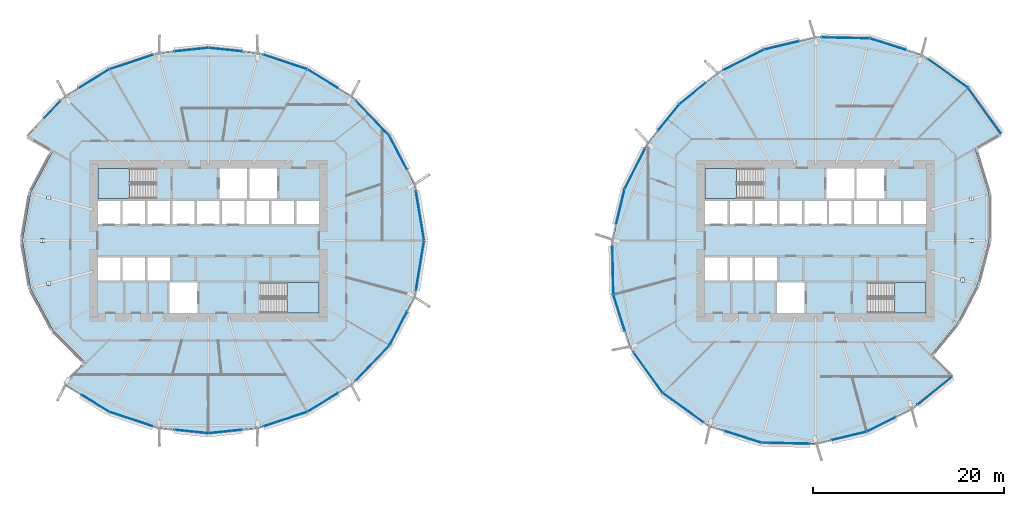
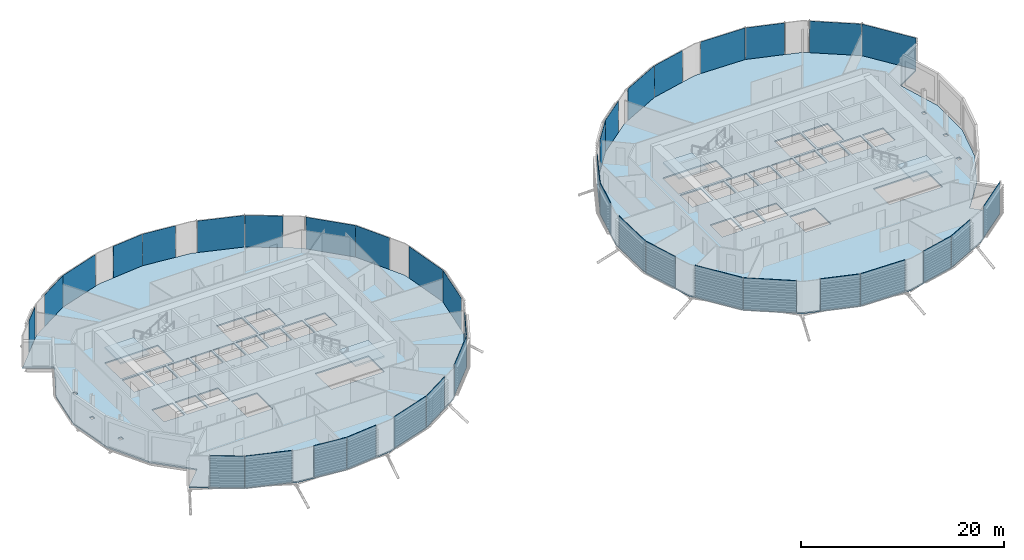
# One storey, part 19 of 37: 38 plates, 6 slabs, 6 elements without a shape of their own.
"""IFC4 building model written with IfcOpenShell, lengths in metres."""

import ifcopenshell
import ifcopenshell.guid

model = None  # the IFC model being written
_history = None  # IfcOwnerHistory: only IFC2X3 demands one
_inside = {}  # id of a spatial element -> (the spatial element, [elements in it])
_under = {}  # id of a project, library or spatial element -> (it, [spatial elements below it])
_declared = {}  # id of a project -> (the project, [libraries it declares])
_typed = {}  # id of a type object -> (the type object, [elements of that type])
_made_of = {}  # id of a material, layer set ... -> (it, [elements and type objects made of it])


def new_model(schema):
    """Start an empty IFC model of exactly this schema.

    Asked for "IFC4X3", IfcOpenShell would pick the latest addendum, in which some entities
    have other attributes; the version numbers below select the first issue.
    IFC2X3 requires an IfcOwnerHistory on every rooted entity: one is made here for all.
    """
    global model, _history
    if schema == "IFC4X3":
        model = ifcopenshell.file(schema_version=(4, 3, 0, 0))
    else:
        model = ifcopenshell.file(schema=schema)
    _inside.clear()
    _under.clear()
    _declared.clear()
    _typed.clear()
    _made_of.clear()
    _history = None
    if model.schema == "IFC2X3":
        org = make("IfcOrganization", Name="unknown")
        user = make(
            "IfcPersonAndOrganization",
            ThePerson=make("IfcPerson", FamilyName="unknown"),
            TheOrganization=org,
        )
        app = make(
            "IfcApplication",
            ApplicationDeveloper=org,
            Version="unknown",
            ApplicationFullName="unknown",
            ApplicationIdentifier="unknown",
        )
        _history = make(
            "IfcOwnerHistory",
            OwningUser=user,
            OwningApplication=app,
            ChangeAction="ADDED",
            CreationDate=0,
        )
    return model


def make(cls, **values):
    """One entity of the class cls with the attributes given. An attribute that is None is left unset."""
    return model.create_entity(
        cls, **{name: value for name, value in values.items() if value is not None}
    )


def rooted(cls, **values):
    """An entity with a GlobalId (a new one), such as an element, a storey or a relation."""
    return make(cls, GlobalId=ifcopenshell.guid.new(), OwnerHistory=_history, **values)


def si_unit(unit_type, name, prefix=None):
    """IfcSIUnit, for example si_unit("LENGTHUNIT", "METRE", prefix="MILLI")."""
    return make("IfcSIUnit", UnitType=unit_type, Prefix=prefix, Name=name)


def assignment(units):
    """IfcUnitAssignment: the units of a project."""
    return None if units is None else make("IfcUnitAssignment", Units=units)


def point(xyz):
    """IfcCartesianPoint."""
    return None if xyz is None else make("IfcCartesianPoint", Coordinates=xyz)


def direction(xyz):
    """IfcDirection."""
    return None if xyz is None else make("IfcDirection", DirectionRatios=xyz)


def frame(location, z_axis=None, x_axis=None):
    """IfcAxis2Placement3D, a coordinate frame: its origin and axes. An axis left out is left unset."""
    return make(
        "IfcAxis2Placement3D",
        Location=point(location),
        Axis=direction(z_axis),
        RefDirection=direction(x_axis),
    )


def frame_2d(location, x_axis=None):
    """IfcAxis2Placement2D, a coordinate frame in the plane: its origin and x axis."""
    return make(
        "IfcAxis2Placement2D", Location=point(location), RefDirection=direction(x_axis)
    )


def origin():
    """The frame at (0, 0, 0) with its axes left unset."""
    return frame((0.0, 0.0, 0.0))


def origin_2d():
    """The frame at (0, 0) in the plane with its x axis left unset."""
    return frame_2d((0.0, 0.0))


def place(relative_to, where):
    """IfcLocalPlacement: puts the frame where relative to a parent placement (None: the world)."""
    return make(
        "IfcLocalPlacement", PlacementRelTo=relative_to, RelativePlacement=where
    )


def context(
    kind, dimensions, precision=None, world=None, true_north=None, identifier=None
):
    """IfcGeometricRepresentationContext, for example the 3D "Model" context."""
    return make(
        "IfcGeometricRepresentationContext",
        ContextIdentifier=identifier,
        ContextType=kind,
        CoordinateSpaceDimension=dimensions,
        Precision=precision,
        WorldCoordinateSystem=world,
        TrueNorth=true_north,
    )


def subcontext(parent, identifier, kind, view, scale=None):
    """IfcGeometricRepresentationSubContext, for example "Body" below "Model"."""
    return make(
        "IfcGeometricRepresentationSubContext",
        ContextIdentifier=identifier,
        ContextType=kind,
        ParentContext=parent,
        TargetScale=scale,
        TargetView=view,
    )


def project(units=None, contexts=None):
    """IfcProject with its units and contexts."""
    return rooted(
        "IfcProject",
        Name="project",
        RepresentationContexts=contexts,
        UnitsInContext=assignment(units),
    )


def spatial(cls, under=None, at=None, **own):
    """A site, building, storey or space (cls), placed at a placement, below another one or the project."""
    s = rooted(cls, ObjectPlacement=at, **own)
    if under is not None:
        _under.setdefault(under.id(), (under, []))[1].append(s)
    return s


def polyline(points):
    """IfcPolyline through the points."""
    return make("IfcPolyline", Points=[point(p) for p in points])


def profile(cls, at=None, kind="AREA", **sizes):
    """A parametric profile (cls). Its sizes go by their IFC names, for example OverallWidth=200.0."""
    return make(cls, ProfileType=kind, Position=at, **sizes)


def rectangle(**sizes):
    """IfcRectangleProfileDef."""
    return profile("IfcRectangleProfileDef", **sizes)


def outline(outer, holes=None, kind="AREA"):
    """IfcArbitraryClosedProfileDef: a profile drawn as a closed curve; with holes, ...WithVoids."""
    if holes is None:
        return make("IfcArbitraryClosedProfileDef", ProfileType=kind, OuterCurve=outer)
    return make(
        "IfcArbitraryProfileDefWithVoids",
        ProfileType=kind,
        OuterCurve=outer,
        InnerCurves=holes,
    )


def extrude(swept, where, along, depth):
    """IfcExtrudedAreaSolid: the profile swept, set in the frame where, extruded along a direction by depth."""
    return make(
        "IfcExtrudedAreaSolid",
        SweptArea=swept,
        Position=where,
        ExtrudedDirection=direction(along),
        Depth=depth,
    )


def shape(context_of_items, identifier, shape_type, items):
    """IfcShapeRepresentation: the items that make up one representation, for example the "Body"."""
    return make(
        "IfcShapeRepresentation",
        ContextOfItems=context_of_items,
        RepresentationIdentifier=identifier,
        RepresentationType=shape_type,
        Items=items,
    )


def material(Name=None, Category=None):
    """IfcMaterial."""
    return make("IfcMaterial", Name=Name, Category=Category)


def layer(
    of_material, thickness, ventilated=None, Name=None, Category=None, Priority=None
):
    """IfcMaterialLayer: one layer of a wall or slab, of a material (None: an air gap)."""
    return make(
        "IfcMaterialLayer",
        Material=of_material,
        LayerThickness=thickness,
        IsVentilated=ventilated,
        Name=Name,
        Category=Category,
        Priority=Priority,
    )


def layer_set(layers, Name=None):
    """IfcMaterialLayerSet."""
    return make("IfcMaterialLayerSet", MaterialLayers=layers, LayerSetName=Name)


def made_of(thing, what):
    """Note that an element or type object is made of a material, layer set ...; save() writes the relation."""
    if what is not None:
        _made_of.setdefault(what.id(), (what, []))[1].append(thing)
    return thing


def type_object(cls, material=None, **own):
    """A type object (cls), such as IfcWallType, which elements share."""
    return made_of(rooted(cls, **own), material)


def element(
    cls,
    number,
    at=None,
    inside=None,
    cuts=None,
    type_object=None,
    material=None,
    context=None,
    identifier="Body",
    shape_type=None,
    held_by="IfcProductDefinitionShape",
    body=None,
    shapes=None,
    **own,
):
    """One element of the class cls, such as IfcWall. Its Tag is "e" and its number.

    at: its placement. inside: the storey or other place that contains it. cuts: it is an
    opening in that element (IfcRelVoidsElement). A single representation is given by context,
    identifier, shape_type and body (its items); several are given by shapes. held_by: the class
    of the entity that holds the representations. save() writes the other relations.
    """
    e = rooted(cls, Tag="e%d" % number, ObjectPlacement=at, **own)
    if body is not None:
        shapes = [shape(context, identifier, shape_type, body)]
    if shapes is not None:
        e.Representation = make(held_by, Representations=shapes)
    if inside is not None:
        _inside.setdefault(inside.id(), (inside, []))[1].append(e)
    if cuts is not None:
        rooted(
            "IfcRelVoidsElement", RelatingBuildingElement=cuts, RelatedOpeningElement=e
        )
    if type_object is not None:
        _typed.setdefault(type_object.id(), (type_object, []))[1].append(e)
    return made_of(e, material)


def aggregate(whole, parts):
    """IfcRelAggregates: a whole, such as a stair, and the parts it consists of."""
    return rooted("IfcRelAggregates", RelatingObject=whole, RelatedObjects=parts)


def save(model, path):
    """Write the relations noted so far, then the file.

    IfcRelAggregates (storeys below a building ...), IfcRelContainedInSpatialStructure (elements
    in a storey), IfcRelDefinesByType, IfcRelAssociatesMaterial and IfcRelDeclares: one each for
    every whole, place, type object, material and project.
    """
    for whole, parts in _under.values():
        aggregate(whole, parts)
    for where, things in _inside.values():
        rooted(
            "IfcRelContainedInSpatialStructure",
            RelatedElements=things,
            RelatingStructure=where,
        )
    for kind, things in _typed.values():
        rooted("IfcRelDefinesByType", RelatedObjects=things, RelatingType=kind)
    for what, things in _made_of.values():
        rooted("IfcRelAssociatesMaterial", RelatedObjects=things, RelatingMaterial=what)
    for by, libraries in _declared.values():
        rooted("IfcRelDeclares", RelatingContext=by, RelatedDefinitions=libraries)
    model.write(path)


model = new_model("IFC4")

# Units and contexts
model_context = context("Model", 3, precision=1e-05, world=origin(), true_north=direction((0.0, 1.0)))
body_context = subcontext(model_context, "Body", "Model", "MODEL_VIEW")
ifc_project = project(units=[si_unit("LENGTHUNIT", "METRE"), si_unit("AREAUNIT", "SQUARE_METRE"), si_unit("VOLUMEUNIT", "CUBIC_METRE"), si_unit("PLANEANGLEUNIT", "RADIAN"), si_unit("MASSUNIT", "GRAM", prefix="KILO")], contexts=[model_context])

# Site, building, storey
site_placement = place(None, origin())
site = spatial("IfcSite", under=ifc_project, at=site_placement, CompositionType="ELEMENT")
building_placement = place(site_placement, origin())
building = spatial("IfcBuilding", under=site, at=building_placement, Name="Rimbun Link Towers", CompositionType="ELEMENT")
storey_placement = place(building_placement, frame((0.0, 0.0, 45.199951171875)))
storey = spatial("IfcBuildingStorey", under=building, at=storey_placement, Name="L10", CompositionType="ELEMENT", Elevation=45.199951171875)

# Slabs
ifc_material_1 = material(Name="Concrete C35/45", Category="concrete")
ifc_layer_1 = layer(ifc_material_1, 0.159912109375)
ifc_layer_set_1 = layer_set([ifc_layer_1], Name="COMPOSITE FLOOR 160")
slab_type_1 = type_object("IfcSlabType", Name="COMPOSITE FLOOR 160", PredefinedType="FLOOR", material=ifc_layer_set_1)
slab_1_placement = place(storey_placement, frame((0.0, 0.0, -0.159912109375)))
element("IfcSlab", 1, at=slab_1_placement, inside=storey, type_object=slab_type_1, Name="Floor slab T1 L10", PredefinedType="FLOOR", context=body_context, shape_type="SweptSolid", body=[
    extrude(outline(polyline([(-46.76318359375, 15.01318359375), (-42.07861328125, 17.8896484375), (-36.994873046875, 19.57421875), (-31.75, 20.126708984375), (-26.505126953125, 19.57421875), (-21.42138671875, 17.8896484375), (-16.73681640625, 15.01318359375), (-12.82080078125, 10.9287109375), (-10.159423828125, 5.78515625), (-9.208251953125, 0.0), (-10.159423828125, -5.78515625), (-12.82080078125, -10.9287109375), (-16.73681640625, -15.01318359375), (-21.42138671875, -17.8896484375), (-26.505126953125, -19.57421875), (-31.75, -20.126708984375), (-36.994873046875, -19.57421875), (-42.07861328125, -17.8896484375), (-46.76318359375, -15.01318359375), (-44.5712890625, -12.8212890625), (-47.994384765625, -9.378662109375), (-50.34619140625, -4.98291015625), (-51.19189453125, 0.0), (-50.34619140625, 4.98291015625), (-47.994384765625, 9.378662109375), (-50.67919921875, 10.9287109375), (-46.76318359375, 15.01318359375)]), holes=[polyline([(-48.23876953125, -4.66845703125), (-48.23876953125, -4.27490234375), (-48.6376953125, -4.27490234375), (-48.6376953125, -4.66845703125), (-48.23876953125, -4.66845703125)]), polyline([(-40.95556640625, -4.14990234375), (-40.95556640625, -1.75), (-43.300048828125, -1.75), (-43.300048828125, -4.14990234375), (-40.95556640625, -4.14990234375)]), polyline([(-38.361083984375, -4.14990234375), (-38.361083984375, -1.75), (-40.70556640625, -1.75), (-40.70556640625, -4.14990234375), (-38.361083984375, -4.14990234375)]), polyline([(-38.111083984375, -4.14990234375), (-35.7666015625, -4.14990234375), (-35.7666015625, -1.75), (-38.111083984375, -1.75), (-38.111083984375, -4.14990234375)]), polyline([(-49.288330078125, -0.19677734375), (-48.889404296875, -0.19677734375), (-48.889404296875, 0.19677734375), (-49.288330078125, 0.19677734375), (-49.288330078125, -0.19677734375)]), polyline([(-40.95556640625, 1.75), (-40.95556640625, 4.14990234375), (-43.300048828125, 4.14990234375), (-43.300048828125, 1.75), (-40.95556640625, 1.75)]), polyline([(-38.361083984375, 1.75), (-38.361083984375, 4.14990234375), (-40.70556640625, 4.14990234375), (-40.70556640625, 1.75), (-38.361083984375, 1.75)]), polyline([(-35.7666015625, 1.75), (-35.7666015625, 4.14990234375), (-38.111083984375, 4.14990234375), (-38.111083984375, 1.75), (-35.7666015625, 1.75)]), polyline([(-48.6376953125, 4.27490234375), (-48.23876953125, 4.27490234375), (-48.23876953125, 4.66845703125), (-48.6376953125, 4.66845703125), (-48.6376953125, 4.27490234375)]), polyline([(-43.300048828125, 4.39990234375), (-37.260009765625, 4.39990234375), (-37.260009765625, 7.550048828125), (-43.300048828125, 7.550048828125), (-43.300048828125, 4.39990234375)]), polyline([(-32.89990234375, -7.550048828125), (-32.89990234375, -4.39990234375), (-35.800048828125, -4.39990234375), (-35.800048828125, -7.550048828125), (-32.89990234375, -7.550048828125)]), polyline([(-20.199951171875, -7.550048828125), (-20.199951171875, -4.39990234375), (-26.239990234375, -4.39990234375), (-26.239990234375, -7.550048828125), (-20.199951171875, -7.550048828125)]), polyline([(-33.172119140625, 1.75), (-33.172119140625, 4.14990234375), (-35.5166015625, 4.14990234375), (-35.5166015625, 1.75), (-33.172119140625, 1.75)]), polyline([(-32.922119140625, 1.75), (-30.577880859375, 1.75), (-30.577880859375, 4.14990234375), (-32.922119140625, 4.14990234375), (-32.922119140625, 1.75)]), polyline([(-30.327880859375, 1.75), (-27.9833984375, 1.75), (-27.9833984375, 4.14990234375), (-30.327880859375, 4.14990234375), (-30.327880859375, 1.75)]), polyline([(-25.388916015625, 1.75), (-25.388916015625, 4.14990234375), (-27.7333984375, 4.14990234375), (-27.7333984375, 1.75), (-25.388916015625, 1.75)]), polyline([(-22.79443359375, 1.75), (-22.79443359375, 4.14990234375), (-25.138916015625, 4.14990234375), (-25.138916015625, 1.75), (-22.79443359375, 1.75)]), polyline([(-20.199951171875, 1.75), (-20.199951171875, 4.14990234375), (-22.54443359375, 4.14990234375), (-22.54443359375, 1.75), (-20.199951171875, 1.75)]), polyline([(-30.60009765625, 4.39990234375), (-27.699951171875, 4.39990234375), (-27.699951171875, 7.550048828125), (-30.60009765625, 7.550048828125), (-30.60009765625, 4.39990234375)]), polyline([(-27.449951171875, 4.39990234375), (-24.550048828125, 4.39990234375), (-24.550048828125, 7.550048828125), (-27.449951171875, 7.550048828125), (-27.449951171875, 4.39990234375)])]), origin(), (0.0, 0.0, 1.0), 0.159912109375),
])
slab_2_placement = place(storey_placement, frame((0.0, 0.0, -0.159912109375)))
element("IfcSlab", 2, at=slab_2_placement, inside=storey, type_object=slab_type_1, Name="Floor slab T2 L10", PredefinedType="FLOOR", context=body_context, shape_type="SweptSolid", body=[
    extrude(outline(polyline([(41.88232421875, -17.5498046875), (37.096435546875, -19.953125), (31.75, -21.23193359375), (26.093017578125, -21.11279296875), (20.573974609375, -19.357421875), (15.810546875, -15.939453125), (12.392578125, -11.176025390625), (10.63720703125, -5.656982421875), (10.51806640625, 0.0), (11.796875, 5.346435546875), (14.2001953125, 10.13232421875), (17.518310546875, 14.231689453125), (21.61767578125, 17.5498046875), (26.403564453125, 19.953125), (31.75, 21.23193359375), (37.406982421875, 21.11279296875), (42.926025390625, 19.357421875), (47.689453125, 15.939453125), (51.107421875, 11.176025390625), (48.4228515625, 9.626220703125), (49.868408203125, 4.854736328125), (49.8818359375, 0.0), (48.708740234375, -4.544189453125), (46.614990234375, -8.58251953125), (43.78955078125, -12.03955078125), (45.981689453125, -14.231689453125), (41.88232421875, -17.5498046875)]), holes=[polyline([(30.60009765625, -7.550048828125), (30.60009765625, -4.39990234375), (27.699951171875, -4.39990234375), (27.699951171875, -7.550048828125), (30.60009765625, -7.550048828125)]), polyline([(22.54443359375, -4.14990234375), (22.54443359375, -1.75), (20.199951171875, -1.75), (20.199951171875, -4.14990234375), (22.54443359375, -4.14990234375)]), polyline([(25.138916015625, -4.14990234375), (25.138916015625, -1.75), (22.79443359375, -1.75), (22.79443359375, -4.14990234375), (25.138916015625, -4.14990234375)]), polyline([(25.388916015625, -4.14990234375), (27.7333984375, -4.14990234375), (27.7333984375, -1.75), (25.388916015625, -1.75), (25.388916015625, -4.14990234375)]), polyline([(20.199951171875, 1.75), (22.54443359375, 1.75), (22.54443359375, 4.14990234375), (20.199951171875, 4.14990234375), (20.199951171875, 1.75)]), polyline([(25.138916015625, 1.75), (25.138916015625, 4.14990234375), (22.79443359375, 4.14990234375), (22.79443359375, 1.75), (25.138916015625, 1.75)]), polyline([(27.7333984375, 1.75), (27.7333984375, 4.14990234375), (25.388916015625, 4.14990234375), (25.388916015625, 1.75), (27.7333984375, 1.75)]), polyline([(30.327880859375, 1.75), (30.327880859375, 4.14990234375), (27.9833984375, 4.14990234375), (27.9833984375, 1.75), (30.327880859375, 1.75)]), polyline([(30.577880859375, 1.75), (32.922119140625, 1.75), (32.922119140625, 4.14990234375), (30.577880859375, 4.14990234375), (30.577880859375, 1.75)]), polyline([(20.199951171875, 4.39990234375), (26.239990234375, 4.39990234375), (26.239990234375, 7.550048828125), (20.199951171875, 7.550048828125), (20.199951171875, 4.39990234375)]), polyline([(43.300048828125, -7.550048828125), (43.300048828125, -4.39990234375), (37.260009765625, -4.39990234375), (37.260009765625, -7.550048828125), (43.300048828125, -7.550048828125)]), polyline([(47.328125, -4.3173828125), (47.328125, -3.923828125), (46.92919921875, -3.923828125), (46.92919921875, -4.3173828125), (47.328125, -4.3173828125)]), polyline([(48.236083984375, -0.19677734375), (48.236083984375, 0.19677734375), (47.837158203125, 0.19677734375), (47.837158203125, -0.19677734375), (48.236083984375, -0.19677734375)]), polyline([(33.172119140625, 1.75), (35.5166015625, 1.75), (35.5166015625, 4.14990234375), (33.172119140625, 4.14990234375), (33.172119140625, 1.75)]), polyline([(35.7666015625, 1.75), (38.111083984375, 1.75), (38.111083984375, 4.14990234375), (35.7666015625, 4.14990234375), (35.7666015625, 1.75)]), polyline([(40.70556640625, 1.75), (40.70556640625, 4.14990234375), (38.361083984375, 4.14990234375), (38.361083984375, 1.75), (40.70556640625, 1.75)]), polyline([(43.300048828125, 1.75), (43.300048828125, 4.14990234375), (40.95556640625, 4.14990234375), (40.95556640625, 1.75), (43.300048828125, 1.75)]), polyline([(48.253662109375, 4.171875), (48.253662109375, 4.5654296875), (47.854736328125, 4.5654296875), (47.854736328125, 4.171875), (48.253662109375, 4.171875)]), polyline([(32.89990234375, 4.39990234375), (35.800048828125, 4.39990234375), (35.800048828125, 7.550048828125), (32.89990234375, 7.550048828125), (32.89990234375, 4.39990234375)]), polyline([(36.050048828125, 4.39990234375), (38.949951171875, 4.39990234375), (38.949951171875, 7.550048828125), (36.050048828125, 7.550048828125), (36.050048828125, 4.39990234375)])]), origin(), (0.0, 0.0, 1.0), 0.159912109375),
])

# Curtain wall, plates
ifc_material_2 = material(Name="Aluminium 6063-T6 and low-iron glass", Category="aluminium")
curtain_wall_type = type_object("IfcCurtainWallType", Name="CW1 unitised vision wall", PredefinedType="NOTDEFINED", material=ifc_material_2)
curtain_wall_1_placement = place(storey_placement, origin())
curtain_wall_1 = element("IfcCurtainWall", 3, at=curtain_wall_1_placement, inside=storey, type_object=curtain_wall_type, Name="CW1 L10 T1", PredefinedType="NOTDEFINED")
ifc_material_3 = material(Name="Low-iron glass, laminated low-e unit", Category="glass")
ifc_layer_2 = layer(ifc_material_3, 0.028076171875)
ifc_layer_set_2 = layer_set([ifc_layer_2], Name="CW1 panel Low-iron glass 28")
plate_type = type_object("IfcPlateType", Name="CW1 panel Low-iron glass 28", PredefinedType="CURTAIN_PANEL", material=ifc_layer_set_2)
plate_1_placement = place(storey_placement, frame((-9.621337890625, 2.598876953125, 0.0), z_axis=(0.0, 0.0, 1.0), x_axis=(0.162257788061, -0.986748402691, 0.0)))
plate_1 = element("IfcPlate", 4, at=plate_1_placement, type_object=plate_type, Name="CW1 panel", PredefinedType="CURTAIN_PANEL", context=body_context, shape_type="SweptSolid", body=[
    extrude(rectangle(XDim=5.222900390625, YDim=0.028076171875, at=origin_2d()), origin(), (0.0, 0.0, 1.0), 3.800048828125),
])
plate_2_placement = place(storey_placement, frame((-11.891357421875, 9.16259765625, 0.0), z_axis=(0.0, 0.0, 1.0), x_axis=(0.459554913934, -0.888149357416, 0.0)))
plate_2 = element("IfcPlate", 5, at=plate_2_placement, type_object=plate_type, Name="CW1 panel", PredefinedType="CURTAIN_PANEL", context=body_context, shape_type="SweptSolid", body=[
    extrude(rectangle(XDim=3.951171875, YDim=0.028076171875, at=origin_2d()), origin(), (0.0, 0.0, 1.0), 3.800048828125),
])
plate_3_placement = place(storey_placement, frame((-14.578369140625, 12.7822265625, 0.0), z_axis=(0.0, 0.0, 1.0), x_axis=(0.692051593976, -0.721848038908, 0.0)))
plate_3 = element("IfcPlate", 6, at=plate_3_placement, type_object=plate_type, Name="CW1 panel", PredefinedType="CURTAIN_PANEL", context=body_context, shape_type="SweptSolid", body=[
    extrude(rectangle(XDim=5.068359375, YDim=0.028076171875, at=origin_2d()), origin(), (0.0, 0.0, 1.0), 3.800048828125),
])
plate_4_placement = place(storey_placement, frame((-19.796142578125, 16.908203125, 0.0), z_axis=(0.0, 0.0, 1.0), x_axis=(0.852185029135, -0.523240552823, 0.0)))
plate_4 = element("IfcPlate", 7, at=plate_4_placement, type_object=plate_type, Name="CW1 panel", PredefinedType="CURTAIN_PANEL", context=body_context, shape_type="SweptSolid", body=[
    extrude(rectangle(XDim=3.75732421875, YDim=0.028076171875, at=origin_2d()), origin(), (0.0, 0.0, 1.0), 3.800048828125),
])
plate_5_placement = place(storey_placement, frame((-23.69775390625, 18.65869140625, 0.0), z_axis=(0.0, 0.0, 1.0), x_axis=(0.949238271648, -0.314557949572, 0.0)))
plate_5 = element("IfcPlate", 8, at=plate_5_placement, type_object=plate_type, Name="CW1 panel", PredefinedType="CURTAIN_PANEL", context=body_context, shape_type="SweptSolid", body=[
    extrude(rectangle(XDim=4.765380859375, YDim=0.028076171875, at=origin_2d()), origin(), (0.0, 0.0, 1.0), 3.800048828125),
])
plate_6_placement = place(storey_placement, frame((-29.971435546875, 19.953369140625, 0.0), z_axis=(0.0, 0.0, 1.0), x_axis=(0.994499425228, -0.104742031783, 0.0)))
plate_6 = element("IfcPlate", 9, at=plate_6_placement, type_object=plate_type, Name="CW1 panel", PredefinedType="CURTAIN_PANEL", context=body_context, shape_type="SweptSolid", body=[
    extrude(rectangle(XDim=3.533935546875, YDim=0.028076171875, at=origin_2d()), origin(), (0.0, 0.0, 1.0), 3.800048828125),
])
plate_7_placement = place(storey_placement, frame((-33.528564453125, 19.953369140625, 0.0), z_axis=(0.0, 0.0, 1.0), x_axis=(0.994499425228, 0.104742031783, 0.0)))
plate_7 = element("IfcPlate", 10, at=plate_7_placement, type_object=plate_type, Name="CW1 panel", PredefinedType="CURTAIN_PANEL", context=body_context, shape_type="SweptSolid", body=[
    extrude(rectangle(XDim=3.533935546875, YDim=0.028076171875, at=origin_2d()), origin(), (0.0, 0.0, 1.0), 3.800048828125),
])
plate_8_placement = place(storey_placement, frame((-39.80224609375, 18.65869140625, 0.0), z_axis=(0.0, 0.0, 1.0), x_axis=(0.949238271648, 0.314557949572, 0.0)))
plate_8 = element("IfcPlate", 11, at=plate_8_placement, type_object=plate_type, Name="CW1 panel", PredefinedType="CURTAIN_PANEL", context=body_context, shape_type="SweptSolid", body=[
    extrude(rectangle(XDim=4.765380859375, YDim=0.028076171875, at=origin_2d()), origin(), (0.0, 0.0, 1.0), 3.800048828125),
])
plate_9_placement = place(storey_placement, frame((-43.703857421875, 16.908203125, 0.0), z_axis=(0.0, 0.0, 1.0), x_axis=(0.852185029135, 0.523240552823, 0.0)))
plate_9 = element("IfcPlate", 12, at=plate_9_placement, type_object=plate_type, Name="CW1 panel", PredefinedType="CURTAIN_PANEL", context=body_context, shape_type="SweptSolid", body=[
    extrude(rectangle(XDim=3.75732421875, YDim=0.028076171875, at=origin_2d()), origin(), (0.0, 0.0, 1.0), 3.800048828125),
])
plate_10_placement = place(storey_placement, frame((-48.039306640625, 13.702392578125, 0.0), z_axis=(0.0, 0.0, 1.0), x_axis=(0.692051593976, 0.721848038908, 0.0)))
plate_10 = element("IfcPlate", 13, at=plate_10_placement, type_object=plate_type, Name="CW1 panel", PredefinedType="CURTAIN_PANEL", context=body_context, shape_type="SweptSolid", body=[
    extrude(rectangle(XDim=2.518310546875, YDim=0.028076171875, at=origin_2d()), origin(), (0.0, 0.0, 1.0), 3.800048828125),
])
plate_11_placement = place(storey_placement, frame((-43.5546875, -16.999755859375, 0.0), z_axis=(0.0, 0.0, 1.0), x_axis=(-0.852185029135, 0.523240552823, 0.0)))
plate_11 = element("IfcPlate", 14, at=plate_11_placement, type_object=plate_type, Name="CW1 panel", PredefinedType="CURTAIN_PANEL", context=body_context, shape_type="SweptSolid", body=[
    extrude(rectangle(XDim=3.4072265625, YDim=0.028076171875, at=origin_2d()), origin(), (0.0, 0.0, 1.0), 3.800048828125),
])
plate_12_placement = place(storey_placement, frame((-39.80224609375, -18.65869140625, 0.0), z_axis=(0.0, 0.0, 1.0), x_axis=(-0.949238271648, 0.314557949572, 0.0)))
plate_12 = element("IfcPlate", 15, at=plate_12_placement, type_object=plate_type, Name="CW1 panel", PredefinedType="CURTAIN_PANEL", context=body_context, shape_type="SweptSolid", body=[
    extrude(rectangle(XDim=4.765380859375, YDim=0.028076171875, at=origin_2d()), origin(), (0.0, 0.0, 1.0), 3.800048828125),
])
plate_13_placement = place(storey_placement, frame((-33.528564453125, -19.953369140625, 0.0), z_axis=(0.0, 0.0, 1.0), x_axis=(-0.994499425228, 0.104742031783, 0.0)))
plate_13 = element("IfcPlate", 16, at=plate_13_placement, type_object=plate_type, Name="CW1 panel", PredefinedType="CURTAIN_PANEL", context=body_context, shape_type="SweptSolid", body=[
    extrude(rectangle(XDim=3.533935546875, YDim=0.028076171875, at=origin_2d()), origin(), (0.0, 0.0, 1.0), 3.800048828125),
])
plate_14_placement = place(storey_placement, frame((-29.971435546875, -19.953369140625, 0.0), z_axis=(0.0, 0.0, 1.0), x_axis=(-0.994499425228, -0.104742031783, 0.0)))
plate_14 = element("IfcPlate", 17, at=plate_14_placement, type_object=plate_type, Name="CW1 panel", PredefinedType="CURTAIN_PANEL", context=body_context, shape_type="SweptSolid", body=[
    extrude(rectangle(XDim=3.533935546875, YDim=0.028076171875, at=origin_2d()), origin(), (0.0, 0.0, 1.0), 3.800048828125),
])
plate_15_placement = place(storey_placement, frame((-23.69775390625, -18.65869140625, 0.0), z_axis=(0.0, 0.0, 1.0), x_axis=(-0.949238271648, -0.314557949572, 0.0)))
plate_15 = element("IfcPlate", 18, at=plate_15_placement, type_object=plate_type, Name="CW1 panel", PredefinedType="CURTAIN_PANEL", context=body_context, shape_type="SweptSolid", body=[
    extrude(rectangle(XDim=4.765380859375, YDim=0.028076171875, at=origin_2d()), origin(), (0.0, 0.0, 1.0), 3.800048828125),
])
plate_16_placement = place(storey_placement, frame((-19.796142578125, -16.908203125, 0.0), z_axis=(0.0, 0.0, 1.0), x_axis=(-0.852185029135, -0.523240552823, 0.0)))
plate_16 = element("IfcPlate", 19, at=plate_16_placement, type_object=plate_type, Name="CW1 panel", PredefinedType="CURTAIN_PANEL", context=body_context, shape_type="SweptSolid", body=[
    extrude(rectangle(XDim=3.75732421875, YDim=0.028076171875, at=origin_2d()), origin(), (0.0, 0.0, 1.0), 3.800048828125),
])
plate_17_placement = place(storey_placement, frame((-14.578369140625, -12.7822265625, 0.0), z_axis=(0.0, 0.0, 1.0), x_axis=(-0.692051593976, -0.721848038908, 0.0)))
plate_17 = element("IfcPlate", 20, at=plate_17_placement, type_object=plate_type, Name="CW1 panel", PredefinedType="CURTAIN_PANEL", context=body_context, shape_type="SweptSolid", body=[
    extrude(rectangle(XDim=5.068359375, YDim=0.028076171875, at=origin_2d()), origin(), (0.0, 0.0, 1.0), 3.800048828125),
])
plate_18_placement = place(storey_placement, frame((-11.891357421875, -9.16259765625, 0.0), z_axis=(0.0, 0.0, 1.0), x_axis=(-0.459554913934, -0.888149357416, 0.0)))
plate_18 = element("IfcPlate", 21, at=plate_18_placement, type_object=plate_type, Name="CW1 panel", PredefinedType="CURTAIN_PANEL", context=body_context, shape_type="SweptSolid", body=[
    extrude(rectangle(XDim=3.951171875, YDim=0.028076171875, at=origin_2d()), origin(), (0.0, 0.0, 1.0), 3.800048828125),
])
plate_19_placement = place(storey_placement, frame((-9.621337890625, -2.598876953125, 0.0), z_axis=(0.0, 0.0, 1.0), x_axis=(-0.162257788061, -0.986748402691, 0.0)))
plate_19 = element("IfcPlate", 22, at=plate_19_placement, type_object=plate_type, Name="CW1 panel", PredefinedType="CURTAIN_PANEL", context=body_context, shape_type="SweptSolid", body=[
    extrude(rectangle(XDim=5.222900390625, YDim=0.028076171875, at=origin_2d()), origin(), (0.0, 0.0, 1.0), 3.800048828125),
])
aggregate(curtain_wall_1, [plate_1, plate_2, plate_3, plate_4, plate_5, plate_6, plate_7, plate_8, plate_9, plate_10, plate_11, plate_12, plate_13, plate_14, plate_15, plate_16, plate_17, plate_18, plate_19])

curtain_wall_2_placement = place(storey_placement, origin())
curtain_wall_2 = element("IfcCurtainWall", 23, at=curtain_wall_2_placement, inside=storey, type_object=curtain_wall_type, Name="CW1 L10 T2", PredefinedType="NOTDEFINED")
plate_20_placement = place(storey_placement, frame((45.580078125, 17.470458984375, 0.0), z_axis=(0.0, 0.0, 1.0), x_axis=(0.812475373202, -0.582995512796, 0.0)))
plate_20 = element("IfcPlate", 24, at=plate_20_placement, type_object=plate_type, Name="CW1 panel", PredefinedType="CURTAIN_PANEL", context=body_context, shape_type="SweptSolid", body=[
    extrude(rectangle(XDim=5.1728515625, YDim=0.028076171875, at=origin_2d()), origin(), (0.0, 0.0, 1.0), 3.800048828125),
])
plate_21_placement = place(storey_placement, frame((39.313232421875, 20.521240234375, 0.0), z_axis=(0.0, 0.0, 1.0), x_axis=(0.952967950316, -0.303071090127, 0.0)))
plate_21 = element("IfcPlate", 25, at=plate_21_placement, type_object=plate_type, Name="CW1 panel", PredefinedType="CURTAIN_PANEL", context=body_context, shape_type="SweptSolid", body=[
    extrude(rectangle(XDim=3.951416015625, YDim=0.028076171875, at=origin_2d()), origin(), (0.0, 0.0, 1.0), 3.800048828125),
])
plate_22_placement = place(storey_placement, frame((34.878662109375, 21.179931640625, 0.0), z_axis=(0.0, 0.0, 1.0), x_axis=(0.999778083181, -0.021066190713, 0.0)))
plate_22 = element("IfcPlate", 26, at=plate_22_placement, type_object=plate_type, Name="CW1 panel", PredefinedType="CURTAIN_PANEL", context=body_context, shape_type="SweptSolid", body=[
    extrude(rectangle(XDim=5.018310546875, YDim=0.028076171875, at=origin_2d()), origin(), (0.0, 0.0, 1.0), 3.800048828125),
])
plate_23_placement = place(storey_placement, frame((28.246826171875, 20.408447265625, 0.0), z_axis=(0.0, 0.0, 1.0), x_axis=(0.972570124746, 0.232609871785, 0.0)))
plate_23 = element("IfcPlate", 27, at=plate_23_placement, type_object=plate_type, Name="CW1 panel", PredefinedType="CURTAIN_PANEL", context=body_context, shape_type="SweptSolid", body=[
    extrude(rectangle(XDim=3.757080078125, YDim=0.028076171875, at=origin_2d()), origin(), (0.0, 0.0, 1.0), 3.800048828125),
])
plate_24_placement = place(storey_placement, frame((24.25, 18.887451171875, 0.0), z_axis=(0.0, 0.0, 1.0), x_axis=(0.893649080423, 0.448766443776, 0.0)))
plate_24 = element("IfcPlate", 28, at=plate_24_placement, type_object=plate_type, Name="CW1 panel", PredefinedType="CURTAIN_PANEL", context=body_context, shape_type="SweptSolid", body=[
    extrude(rectangle(XDim=4.765625, YDim=0.028076171875, at=origin_2d()), origin(), (0.0, 0.0, 1.0), 3.800048828125),
])
plate_25_placement = place(storey_placement, frame((18.8984375, 15.366943359375, 0.0), z_axis=(0.0, 0.0, 1.0), x_axis=(0.777280194631, 0.629154590729, 0.0)))
plate_25 = element("IfcPlate", 29, at=plate_25_placement, type_object=plate_type, Name="CW1 panel", PredefinedType="CURTAIN_PANEL", context=body_context, shape_type="SweptSolid", body=[
    extrude(rectangle(XDim=3.533935546875, YDim=0.028076171875, at=origin_2d()), origin(), (0.0, 0.0, 1.0), 3.800048828125),
])
plate_26_placement = place(storey_placement, frame((16.39892578125, 12.87109375, 0.0), z_axis=(0.0, 0.0, 1.0), x_axis=(0.629154590729, 0.777280194631, 0.0)))
plate_26 = element("IfcPlate", 30, at=plate_26_placement, type_object=plate_type, Name="CW1 panel", PredefinedType="CURTAIN_PANEL", context=body_context, shape_type="SweptSolid", body=[
    extrude(rectangle(XDim=3.48388671875, YDim=0.028076171875, at=origin_2d()), origin(), (0.0, 0.0, 1.0), 3.800048828125),
])
plate_27_placement = place(storey_placement, frame((12.862548828125, 7.5, 0.0), z_axis=(0.0, 0.0, 1.0), x_axis=(0.448766443776, 0.893649080423, 0.0)))
plate_27 = element("IfcPlate", 31, at=plate_27_placement, type_object=plate_type, Name="CW1 panel", PredefinedType="CURTAIN_PANEL", context=body_context, shape_type="SweptSolid", body=[
    extrude(rectangle(XDim=4.765625, YDim=0.028076171875, at=origin_2d()), origin(), (0.0, 0.0, 1.0), 3.800048828125),
])
plate_28_placement = place(storey_placement, frame((11.341552734375, 3.503173828125, 0.0), z_axis=(0.0, 0.0, 1.0), x_axis=(0.232609871785, 0.972570124746, 0.0)))
plate_28 = element("IfcPlate", 32, at=plate_28_placement, type_object=plate_type, Name="CW1 panel", PredefinedType="CURTAIN_PANEL", context=body_context, shape_type="SweptSolid", body=[
    extrude(rectangle(XDim=3.757080078125, YDim=0.028076171875, at=origin_2d()), origin(), (0.0, 0.0, 1.0), 3.800048828125),
])
plate_29_placement = place(storey_placement, frame((10.569580078125, -3.103759765625, 0.0), z_axis=(0.0, 0.0, 1.0), x_axis=(-0.021066190713, 0.999778083181, 0.0)))
plate_29 = element("IfcPlate", 33, at=plate_29_placement, type_object=plate_type, Name="CW1 panel", PredefinedType="CURTAIN_PANEL", context=body_context, shape_type="SweptSolid", body=[
    extrude(rectangle(XDim=5.068359375, YDim=0.028076171875, at=origin_2d()), origin(), (0.0, 0.0, 1.0), 3.800048828125),
])
plate_30_placement = place(storey_placement, frame((11.228759765625, -7.563232421875, 0.0), z_axis=(0.0, 0.0, 1.0), x_axis=(-0.303071090127, 0.952967950316, 0.0)))
plate_30 = element("IfcPlate", 34, at=plate_30_placement, type_object=plate_type, Name="CW1 panel", PredefinedType="CURTAIN_PANEL", context=body_context, shape_type="SweptSolid", body=[
    extrude(rectangle(XDim=3.951416015625, YDim=0.028076171875, at=origin_2d()), origin(), (0.0, 0.0, 1.0), 3.800048828125),
])
plate_31_placement = place(storey_placement, frame((14.26513671875, -13.809814453125, 0.0), z_axis=(0.0, 0.0, 1.0), x_axis=(-0.582995512796, 0.812475373202, 0.0)))
plate_31 = element("IfcPlate", 35, at=plate_31_placement, type_object=plate_type, Name="CW1 panel", PredefinedType="CURTAIN_PANEL", context=body_context, shape_type="SweptSolid", body=[
    extrude(rectangle(XDim=5.222900390625, YDim=0.028076171875, at=origin_2d()), origin(), (0.0, 0.0, 1.0), 3.800048828125),
])
plate_32_placement = place(storey_placement, frame((17.940185546875, -17.48486328125, 0.0), z_axis=(0.0, 0.0, 1.0), x_axis=(-0.812475373202, 0.582995512796, 0.0)))
plate_32 = element("IfcPlate", 36, at=plate_32_placement, type_object=plate_type, Name="CW1 panel", PredefinedType="CURTAIN_PANEL", context=body_context, shape_type="SweptSolid", body=[
    extrude(rectangle(XDim=5.222900390625, YDim=0.028076171875, at=origin_2d()), origin(), (0.0, 0.0, 1.0), 3.800048828125),
])
plate_33_placement = place(storey_placement, frame((24.1630859375, -20.513671875, 0.0), z_axis=(0.0, 0.0, 1.0), x_axis=(-0.952967950316, 0.303071090127, 0.0)))
plate_33 = element("IfcPlate", 37, at=plate_33_placement, type_object=plate_type, Name="CW1 panel", PredefinedType="CURTAIN_PANEL", context=body_context, shape_type="SweptSolid", body=[
    extrude(rectangle(XDim=4.00146484375, YDim=0.028076171875, at=origin_2d()), origin(), (0.0, 0.0, 1.0), 3.800048828125),
])
plate_34_placement = place(storey_placement, frame((28.621337890625, -21.179931640625, 0.0), z_axis=(0.0, 0.0, 1.0), x_axis=(-0.999778083181, 0.021066190713, 0.0)))
plate_34 = element("IfcPlate", 38, at=plate_34_placement, type_object=plate_type, Name="CW1 panel", PredefinedType="CURTAIN_PANEL", context=body_context, shape_type="SweptSolid", body=[
    extrude(rectangle(XDim=5.018310546875, YDim=0.028076171875, at=origin_2d()), origin(), (0.0, 0.0, 1.0), 3.800048828125),
])
plate_35_placement = place(storey_placement, frame((35.253173828125, -20.408447265625, 0.0), z_axis=(0.0, 0.0, 1.0), x_axis=(-0.972570124746, -0.232609871785, 0.0)))
plate_35 = element("IfcPlate", 39, at=plate_35_placement, type_object=plate_type, Name="CW1 panel", PredefinedType="CURTAIN_PANEL", context=body_context, shape_type="SweptSolid", body=[
    extrude(rectangle(XDim=3.757080078125, YDim=0.028076171875, at=origin_2d()), origin(), (0.0, 0.0, 1.0), 3.800048828125),
])
plate_36_placement = place(storey_placement, frame((38.624267578125, -19.20166015625, 0.0), z_axis=(0.0, 0.0, 1.0), x_axis=(-0.893649080423, -0.448766443776, 0.0)))
plate_36 = element("IfcPlate", 40, at=plate_36_placement, type_object=plate_type, Name="CW1 panel", PredefinedType="CURTAIN_PANEL", context=body_context, shape_type="SweptSolid", body=[
    extrude(rectangle(XDim=3.365478515625, YDim=0.028076171875, at=origin_2d()), origin(), (0.0, 0.0, 1.0), 3.800048828125),
])
plate_37_placement = place(storey_placement, frame((44.193359375, -15.697265625, 0.0), z_axis=(0.0, 0.0, 1.0), x_axis=(-0.777280194631, -0.629154590729, 0.0)))
plate_37 = element("IfcPlate", 41, at=plate_37_placement, type_object=plate_type, Name="CW1 panel", PredefinedType="CURTAIN_PANEL", context=body_context, shape_type="SweptSolid", body=[
    extrude(rectangle(XDim=4.583984375, YDim=0.028076171875, at=origin_2d()), origin(), (0.0, 0.0, 1.0), 3.800048828125),
])
plate_38_placement = place(storey_placement, frame((49.409912109375, 13.56591796875, 0.0), z_axis=(0.0, 0.0, 1.0), x_axis=(0.582995512796, -0.812475373202, 0.0)))
plate_38 = element("IfcPlate", 42, at=plate_38_placement, type_object=plate_type, Name="CW1 panel", PredefinedType="CURTAIN_PANEL", context=body_context, shape_type="SweptSolid", body=[
    extrude(rectangle(XDim=5.82275390625, YDim=0.028076171875, at=origin_2d()), origin(), (0.0, 0.0, 1.0), 3.800048828125),
])
aggregate(curtain_wall_2, [plate_20, plate_21, plate_22, plate_23, plate_24, plate_25, plate_26, plate_27, plate_28, plate_29, plate_30, plate_31, plate_32, plate_33, plate_34, plate_35, plate_36, plate_37, plate_38])

# Stair, slab
ifc_material_4 = material(Name="Concrete C40/50", Category="concrete")
stair_type = type_object("IfcStairType", Name="Exit stair 3800 rise", PredefinedType="HALF_TURN_STAIR", material=ifc_material_4)
stair_1_placement = place(storey_placement, origin())
stair_1 = element("IfcStair", 43, at=stair_1_placement, inside=storey, type_object=stair_type, Name="L10 EXIT STAIR A", PredefinedType="HALF_TURN_STAIR")
ifc_material_5 = material(Name="Concrete C40/50", Category="concrete")
ifc_layer_3 = layer(ifc_material_5, 0.199951171875)
ifc_layer_set_3 = layer_set([ifc_layer_3], Name="Stair landing")
slab_type_2 = type_object("IfcSlabType", Name="Stair landing", PredefinedType="LANDING", material=ifc_layer_set_3)
slab_3_placement = place(storey_placement, frame((0.0, 0.0, 1.699951171875)))
slab_3 = element("IfcSlab", 44, at=slab_3_placement, type_object=slab_type_2, Name="ST1 landing 1", PredefinedType="LANDING", context=body_context, shape_type="SweptSolid", body=[
    extrude(outline(polyline([(-40.0, 7.550048828125), (-43.300048828125, 7.550048828125), (-43.300048828125, 4.39990234375), (-40.0, 4.39990234375), (-40.0, 7.550048828125)])), origin(), (0.0, 0.0, 1.0), 0.2001953125),
])
aggregate(stair_1, [slab_3])

stair_2_placement = place(storey_placement, origin())
stair_2 = element("IfcStair", 45, at=stair_2_placement, inside=storey, type_object=stair_type, Name="L10 EXIT STAIR B", PredefinedType="HALF_TURN_STAIR")
slab_4_placement = place(storey_placement, frame((0.0, 0.0, 1.699951171875)))
slab_4 = element("IfcSlab", 46, at=slab_4_placement, type_object=slab_type_2, Name="ST2 landing 1", PredefinedType="LANDING", context=body_context, shape_type="SweptSolid", body=[
    extrude(outline(polyline([(-23.5, -7.550048828125), (-20.199951171875, -7.550048828125), (-20.199951171875, -4.39990234375), (-23.5, -4.39990234375), (-23.5, -7.550048828125)])), origin(), (0.0, 0.0, 1.0), 0.2001953125),
])
aggregate(stair_2, [slab_4])

stair_3_placement = place(storey_placement, origin())
stair_3 = element("IfcStair", 47, at=stair_3_placement, inside=storey, type_object=stair_type, Name="L10 EXIT STAIR A", PredefinedType="HALF_TURN_STAIR")
slab_5_placement = place(storey_placement, frame((0.0, 0.0, 1.699951171875)))
slab_5 = element("IfcSlab", 48, at=slab_5_placement, type_object=slab_type_2, Name="ST3 landing 1", PredefinedType="LANDING", context=body_context, shape_type="SweptSolid", body=[
    extrude(outline(polyline([(23.5, 7.550048828125), (20.199951171875, 7.550048828125), (20.199951171875, 4.39990234375), (23.5, 4.39990234375), (23.5, 7.550048828125)])), origin(), (0.0, 0.0, 1.0), 0.2001953125),
])
aggregate(stair_3, [slab_5])

stair_4_placement = place(storey_placement, origin())
stair_4 = element("IfcStair", 49, at=stair_4_placement, inside=storey, type_object=stair_type, Name="L10 EXIT STAIR B", PredefinedType="HALF_TURN_STAIR")
slab_6_placement = place(storey_placement, frame((0.0, 0.0, 1.699951171875)))
slab_6 = element("IfcSlab", 50, at=slab_6_placement, type_object=slab_type_2, Name="ST4 landing 1", PredefinedType="LANDING", context=body_context, shape_type="SweptSolid", body=[
    extrude(outline(polyline([(40.0, -7.550048828125), (43.300048828125, -7.550048828125), (43.300048828125, -4.39990234375), (40.0, -4.39990234375), (40.0, -7.550048828125)])), origin(), (0.0, 0.0, 1.0), 0.2001953125),
])
aggregate(stair_4, [slab_6])

save(model, "model.ifc")
